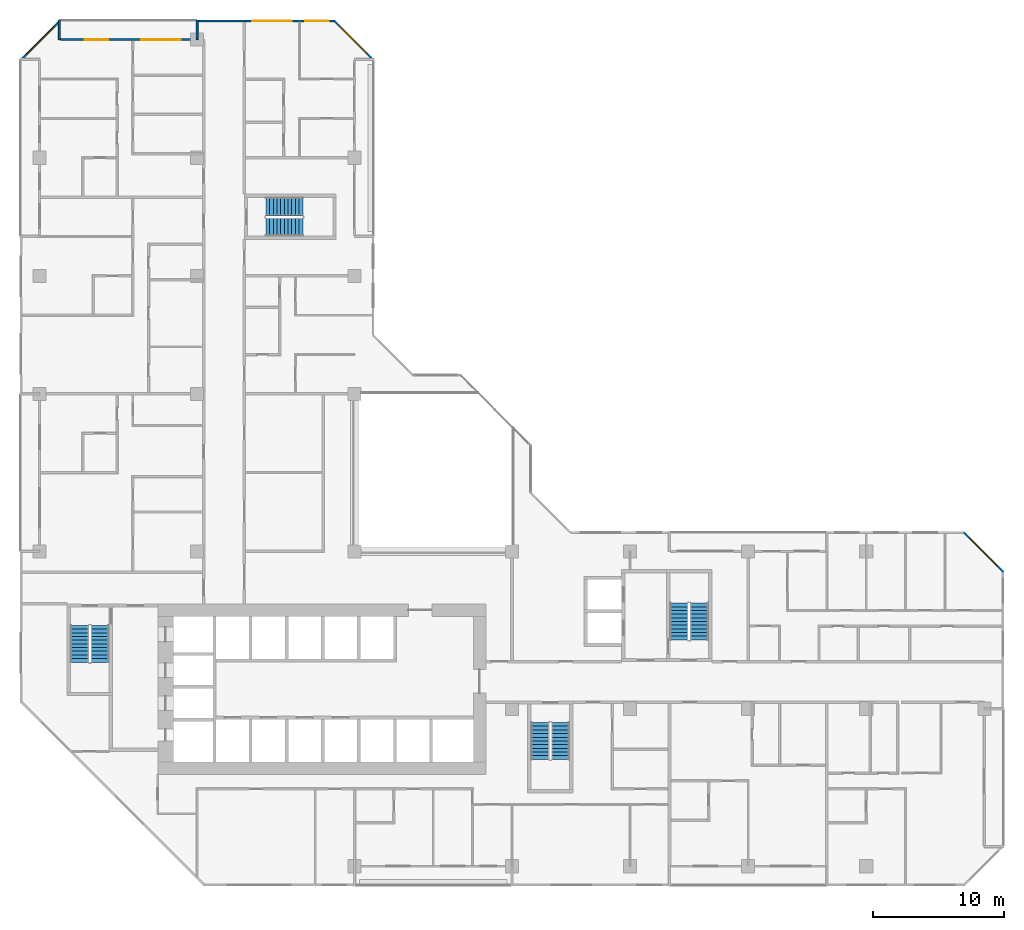
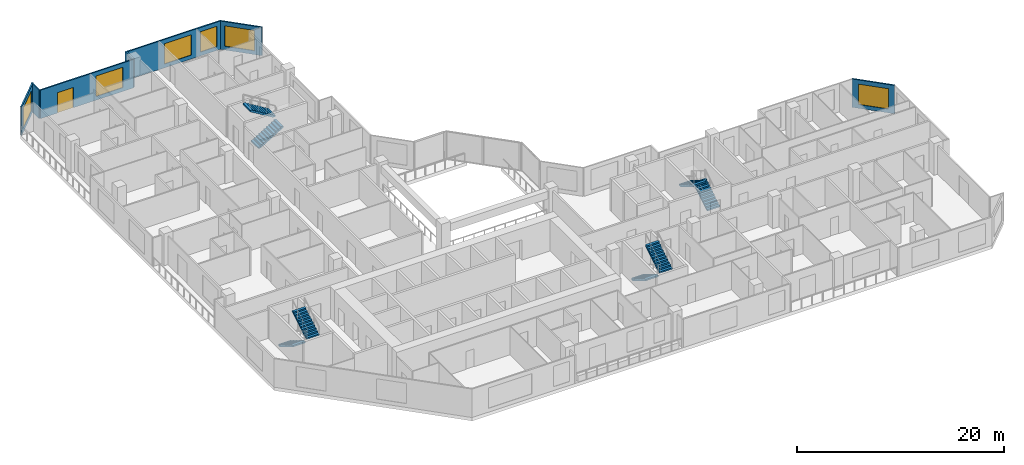
# One storey, part 13 of 15: 8 stair flights, 7 walls, 6 windows, 1 door, 7 openings, 4 elements without a shape of their own.
"""IFC4 building model written with IfcOpenShell, lengths in metres."""

from ifc_helpers import new_model, si_unit, direction, frame, frame_2d, origin, place, context, subcontext, project, spatial, polyline, rectangle, outline, extrude, material, layer, layer_set, type_object, element, fill, aggregate, save


model = new_model("IFC4")

# Units and contexts
model_context = context("Model", 3, precision=1e-05, world=origin(), true_north=direction((0.0, 1.0)))
body_context = subcontext(model_context, "Body", "Model", "MODEL_VIEW")
ifc_project = project(units=[si_unit("LENGTHUNIT", "METRE"), si_unit("AREAUNIT", "SQUARE_METRE"), si_unit("VOLUMEUNIT", "CUBIC_METRE"), si_unit("PLANEANGLEUNIT", "RADIAN"), si_unit("MASSUNIT", "GRAM", prefix="KILO")], contexts=[model_context])

# Site, building, storey
site_placement = place(None, origin())
site = spatial("IfcSite", under=ifc_project, at=site_placement, CompositionType="ELEMENT")
building_placement = place(site_placement, origin())
building = spatial("IfcBuilding", under=site, at=building_placement, Name="Chenar Terraces", CompositionType="ELEMENT")
storey_placement = place(building_placement, frame((0.0, 0.0, 95.64990234375)))
storey = spatial("IfcBuildingStorey", under=building, at=storey_placement, Name="L21", CompositionType="ELEMENT", Elevation=95.64990234375)

# Wall, openings, windows
ifc_material_1 = material(Name="Aluminium framed glazing", Category="aluminium")
ifc_layer_1 = layer(ifc_material_1, 0.14990234375)
ifc_layer_set_1 = layer_set([ifc_layer_1], Name="Aluminium framed glazing")
wall_type_1 = type_object("IfcWallType", Name="Glazed flush facade wall 150", PredefinedType="SOLIDWALL", material=ifc_layer_set_1)
wall_1_placement = place(storey_placement, frame((22.5, 64.425048828125, 0.0), z_axis=(0.0, 0.0, 1.0), x_axis=(-1.0, 0.0, 0.0)))
wall_1 = element("IfcWall", 1, at=wall_1_placement, inside=storey, type_object=wall_type_1, Name="Glazed flush facade wall", PredefinedType="SOLIDWALL", context=body_context, shape_type="SweptSolid", body=[
    extrude(rectangle(XDim=10.425048828125, YDim=0.14990234375, at=frame_2d((5.21240234375, 0.0))), origin(), (0.0, 0.0, 1.0), 3.35009765625),
])
opening_1_placement = place(wall_1_placement, frame((0.449951171875, 0.0, 0.449951171875)))
opening_1 = element("IfcOpeningElement", 2, at=opening_1_placement, cuts=wall_1, Name="Opening W180x240", PredefinedType="OPENING", context=body_context, shape_type="SweptSolid", body=[
    extrude(rectangle(XDim=1.800048828125, YDim=2.39990234375, at=frame_2d((0.89990234375, 1.199951171875))), frame((0.0, 0.0849609375, 0.0), z_axis=(0.0, -1.0, 0.0), x_axis=(1.0, 0.0, 0.0)), (0.0, 0.0, 1.0), 0.169921875),
])
opening_2_placement = place(wall_1_placement, frame((3.300048828125, 0.0, 0.449951171875)))
opening_2 = element("IfcOpeningElement", 3, at=opening_2_placement, cuts=wall_1, Name="Opening W300x240", PredefinedType="OPENING", context=body_context, shape_type="SweptSolid", body=[
    extrude(rectangle(XDim=3.0, YDim=2.39990234375, at=frame_2d((1.5, 1.199951171875))), frame((0.0, 0.0849609375, 0.0), z_axis=(0.0, -1.0, 0.0), x_axis=(1.0, 0.0, 0.0)), (0.0, 0.0, 1.0), 0.169921875),
])
ifc_material_2 = material(Name="Low emissivity double glazing, aluminium frame", Category="aluminium")
window_type_1 = type_object("IfcWindowType", Name="Fixed light 1800 x 2400", PartitioningType="SINGLE_PANEL", PredefinedType="WINDOW", material=ifc_material_2)
window_1_placement = place(opening_1_placement, origin())
window_1 = element("IfcWindow", 4, at=window_1_placement, inside=storey, type_object=window_type_1, Name="Window", OverallHeight=2.39990234375, OverallWidth=1.800048828125, PartitioningType="SINGLE_PANEL", PredefinedType="WINDOW", context=body_context, shape_type="SweptSolid", body=[
    extrude(rectangle(XDim=1.800048828125, YDim=2.39990234375, at=frame_2d((0.89990234375, 1.199951171875))), frame((0.0, 0.030029296875, 0.0), z_axis=(0.0, -1.0, 0.0), x_axis=(1.0, 0.0, 0.0)), (0.0, 0.0, 1.0), 0.06005859375),
])
fill(opening_1, window_1)
ifc_material_3 = material(Name="Low emissivity double glazing, aluminium frame", Category="aluminium")
window_type_2 = type_object("IfcWindowType", Name="Fixed light 3000 x 2400", PartitioningType="SINGLE_PANEL", PredefinedType="WINDOW", material=ifc_material_3)
window_2_placement = place(opening_2_placement, origin())
window_2 = element("IfcWindow", 5, at=window_2_placement, inside=storey, type_object=window_type_2, Name="Window", OverallHeight=2.39990234375, OverallWidth=3.0, PartitioningType="SINGLE_PANEL", PredefinedType="WINDOW", context=body_context, shape_type="SweptSolid", body=[
    extrude(rectangle(XDim=3.0, YDim=2.39990234375, at=frame_2d((1.5, 1.199951171875))), frame((0.0, 0.030029296875, 0.0), z_axis=(0.0, -1.0, 0.0), x_axis=(1.0, 0.0, 0.0)), (0.0, 0.0, 1.0), 0.06005859375),
])
fill(opening_2, window_2)

# Wall, openings, window, door
ifc_material_4 = material(Name="Aluminium framed glazing", Category="aluminium")
ifc_layer_2 = layer(ifc_material_4, 0.14990234375)
ifc_layer_set_2 = layer_set([ifc_layer_2], Name="Aluminium framed glazing")
wall_type_2 = type_object("IfcWallType", Name="Glazed loggia back wall 150", PredefinedType="SOLIDWALL", material=ifc_layer_set_2)
wall_2_placement = place(storey_placement, frame((11.925048828125, 63.0, 0.0), z_axis=(0.0, 0.0, 1.0), x_axis=(-1.0, 0.0, 0.0)))
wall_2 = element("IfcWall", 6, at=wall_2_placement, inside=storey, type_object=wall_type_2, Name="Glazed loggia back wall", PredefinedType="SOLIDWALL", context=body_context, shape_type="SweptSolid", body=[
    extrude(rectangle(XDim=10.35009765625, YDim=0.14990234375, at=frame_2d((5.175048828125, 0.0))), origin(), (0.0, 0.0, 1.0), 3.35009765625),
])
opening_3_placement = place(wall_2_placement, frame((1.175048828125, 0.0, 0.449951171875)))
opening_3 = element("IfcOpeningElement", 7, at=opening_3_placement, cuts=wall_2, Name="Opening W300x240", PredefinedType="OPENING", context=body_context, shape_type="SweptSolid", body=[
    extrude(rectangle(XDim=3.0, YDim=2.39990234375, at=frame_2d((1.5, 1.199951171875))), frame((0.0, 0.0849609375, 0.0), z_axis=(0.0, -1.0, 0.0), x_axis=(1.0, 0.0, 0.0)), (0.0, 0.0, 1.0), 0.169921875),
])
opening_4_placement = place(wall_2_placement, frame((6.6875, 0.0, 0.0)))
opening_4 = element("IfcOpeningElement", 8, at=opening_4_placement, cuts=wall_2, Name="Opening DL21-G3", PredefinedType="OPENING", context=body_context, shape_type="SweptSolid", body=[
    extrude(rectangle(XDim=1.800048828125, YDim=2.39990234375, at=frame_2d((0.89990234375, 1.199951171875))), frame((0.0, 0.0849609375, 0.0), z_axis=(0.0, -1.0, 0.0), x_axis=(1.0, 0.0, 0.0)), (0.0, 0.0, 1.0), 0.169921875),
])
window_3_placement = place(opening_3_placement, origin())
window_3 = element("IfcWindow", 9, at=window_3_placement, inside=storey, type_object=window_type_2, Name="Window", OverallHeight=2.39990234375, OverallWidth=3.0, PartitioningType="SINGLE_PANEL", PredefinedType="WINDOW", context=body_context, shape_type="SweptSolid", body=[
    extrude(rectangle(XDim=3.0, YDim=2.39990234375, at=frame_2d((1.5, 1.199951171875))), frame((0.0, 0.030029296875, 0.0), z_axis=(0.0, -1.0, 0.0), x_axis=(1.0, 0.0, 0.0)), (0.0, 0.0, 1.0), 0.06005859375),
])
fill(opening_3, window_3)
ifc_material_5 = material(Name="Low emissivity double glazing, aluminium frame", Category="aluminium")
door_type = type_object("IfcDoorType", Name="Loggia glazed double door 1800 x 2400", OperationType="DOUBLE_DOOR_SINGLE_SWING", PredefinedType="DOOR", material=ifc_material_5)
door_placement = place(opening_4_placement, frame((1.800048828125, 0.0, 0.0), z_axis=(0.0, 0.0, 1.0), x_axis=(-1.0, 0.0, 0.0)))
door = element("IfcDoor", 10, at=door_placement, inside=storey, type_object=door_type, Name="Loggia glazed door", OperationType="DOUBLE_DOOR_SINGLE_SWING", OverallHeight=2.39990234375, OverallWidth=1.800048828125, PredefinedType="DOOR", context=body_context, shape_type="SweptSolid", body=[
    extrude(rectangle(XDim=1.800048828125, YDim=2.39990234375, at=frame_2d((0.89990234375, 1.199951171875))), frame((0.0, 0.02490234375, 0.0), z_axis=(0.0, -1.0, 0.0), x_axis=(1.0, 0.0, 0.0)), (0.0, 0.0, 1.0), 0.050048828125),
])
fill(opening_4, door)

# Walls
ifc_material_6 = material(Name="Terracotta cladding on insulated backing", Category="masonry")
ifc_layer_3 = layer(ifc_material_6, 0.14990234375)
ifc_layer_set_3 = layer_set([ifc_layer_3], Name="Terracotta cladding on insulated backing")
wall_type_3 = type_object("IfcWallType", Name="Loggia return wall 150", PredefinedType="SOLIDWALL", material=ifc_layer_set_3)
for number, where, z_axis, x_axis, name in (
    (11, (12.0, 64.5, 0.0), (0.0, 0.0, 1.0), (0.0, -1.0, 0.0), "Loggia return wall"),
    (12, (1.5, 64.5, 0.0), (0.0, 0.0, 1.0), (0.0, -1.0, 0.0), "Loggia return wall"),
):
    element("IfcWall", number, at=place(storey_placement, frame(where, z_axis=z_axis, x_axis=x_axis)), inside=storey, type_object=wall_type_3, Name=name, PredefinedType="SOLIDWALL", context=body_context, shape_type="SweptSolid", body=[
        extrude(rectangle(XDim=1.5, YDim=0.14990234375, at=frame_2d((0.75, 0.0))), origin(), (0.0, 0.0, 1.0), 3.35009765625),
    ])

# Wall, opening, window
ifc_material_7 = material(Name="Terracotta cladding on insulated backing", Category="masonry")
ifc_layer_4 = layer(ifc_material_7, 0.14990234375)
ifc_layer_set_4 = layer_set([ifc_layer_4], Name="Terracotta cladding on insulated backing")
wall_type_4 = type_object("IfcWallType", Name="Terracotta rainscreen wall 150", PredefinedType="SOLIDWALL", material=ifc_layer_set_4)
wall_3_placement = place(storey_placement, frame((25.447021484375, 61.447021484375, 0.0), z_axis=(0.0, 0.0, 1.0), x_axis=(-0.707106781187, 0.707106781187, 0.0)))
wall_3 = element("IfcWall", 13, at=wall_3_placement, inside=storey, type_object=wall_type_4, Name="Terracotta rainscreen wall", PredefinedType="SOLIDWALL", context=body_context, shape_type="SweptSolid", body=[
    extrude(rectangle(XDim=4.24267578125, YDim=0.14990234375, at=frame_2d((2.121337890625, 0.0))), origin(), (0.0, 0.0, 1.0), 3.35009765625),
])
opening_5_placement = place(wall_3_placement, frame((0.744384765625, 0.0, 0.449951171875)))
opening_5 = element("IfcOpeningElement", 14, at=opening_5_placement, cuts=wall_3, Name="Opening W300x240", PredefinedType="OPENING", context=body_context, shape_type="SweptSolid", body=[
    extrude(rectangle(XDim=3.0, YDim=2.39990234375, at=frame_2d((1.5, 1.199951171875))), frame((0.0, 0.0849609375, 0.0), z_axis=(0.0, -1.0, 0.0), x_axis=(1.0, 0.0, 0.0)), (0.0, 0.0, 1.0), 0.169921875),
])
window_4_placement = place(opening_5_placement, origin())
window_4 = element("IfcWindow", 15, at=window_4_placement, inside=storey, type_object=window_type_2, Name="Window", OverallHeight=2.39990234375, OverallWidth=3.0, PartitioningType="SINGLE_PANEL", PredefinedType="WINDOW", context=body_context, shape_type="SweptSolid", body=[
    extrude(rectangle(XDim=3.0, YDim=2.39990234375, at=frame_2d((1.5, 1.199951171875))), frame((0.0, 0.030029296875, 0.0), z_axis=(0.0, -1.0, 0.0), x_axis=(1.0, 0.0, 0.0)), (0.0, 0.0, 1.0), 0.06005859375),
])
fill(opening_5, window_4)

wall_4_placement = place(storey_placement, frame((1.552978515625, 64.447021484375, 0.0), z_axis=(0.0, 0.0, 1.0), x_axis=(-0.707106781187, -0.707106781187, 0.0)))
wall_4 = element("IfcWall", 16, at=wall_4_placement, inside=storey, type_object=wall_type_4, Name="Terracotta rainscreen wall", PredefinedType="SOLIDWALL", context=body_context, shape_type="SweptSolid", body=[
    extrude(rectangle(XDim=4.24267578125, YDim=0.14990234375, at=frame_2d((2.121337890625, 0.0))), origin(), (0.0, 0.0, 1.0), 3.35009765625),
])
opening_6_placement = place(wall_4_placement, frame((0.621337890625, 0.0, 0.449951171875)))
opening_6 = element("IfcOpeningElement", 17, at=opening_6_placement, cuts=wall_4, Name="Opening W300x240", PredefinedType="OPENING", context=body_context, shape_type="SweptSolid", body=[
    extrude(rectangle(XDim=3.0, YDim=2.39990234375, at=frame_2d((1.5, 1.199951171875))), frame((0.0, 0.0849609375, 0.0), z_axis=(0.0, -1.0, 0.0), x_axis=(1.0, 0.0, 0.0)), (0.0, 0.0, 1.0), 0.169921875),
])
window_5_placement = place(opening_6_placement, origin())
window_5 = element("IfcWindow", 18, at=window_5_placement, inside=storey, type_object=window_type_2, Name="Window", OverallHeight=2.39990234375, OverallWidth=3.0, PartitioningType="SINGLE_PANEL", PredefinedType="WINDOW", context=body_context, shape_type="SweptSolid", body=[
    extrude(rectangle(XDim=3.0, YDim=2.39990234375, at=frame_2d((1.5, 1.199951171875))), frame((0.0, 0.030029296875, 0.0), z_axis=(0.0, -1.0, 0.0), x_axis=(1.0, 0.0, 0.0)), (0.0, 0.0, 1.0), 0.06005859375),
])
fill(opening_6, window_5)

wall_5_placement = place(storey_placement, frame((73.447021484375, 22.447021484375, 0.0), z_axis=(0.0, 0.0, 1.0), x_axis=(-0.707106781187, 0.707106781187, 0.0)))
wall_5 = element("IfcWall", 19, at=wall_5_placement, inside=storey, type_object=wall_type_4, Name="Terracotta rainscreen wall", PredefinedType="SOLIDWALL", context=body_context, shape_type="SweptSolid", body=[
    extrude(rectangle(XDim=4.24267578125, YDim=0.14990234375, at=frame_2d((2.121337890625, 0.0))), origin(), (0.0, 0.0, 1.0), 3.35009765625),
])
opening_7_placement = place(wall_5_placement, frame((0.621337890625, 0.0, 0.449951171875)))
opening_7 = element("IfcOpeningElement", 20, at=opening_7_placement, cuts=wall_5, Name="Opening W300x240", PredefinedType="OPENING", context=body_context, shape_type="SweptSolid", body=[
    extrude(rectangle(XDim=3.0, YDim=2.39990234375, at=frame_2d((1.5, 1.199951171875))), frame((0.0, 0.0849609375, 0.0), z_axis=(0.0, -1.0, 0.0), x_axis=(1.0, 0.0, 0.0)), (0.0, 0.0, 1.0), 0.169921875),
])
window_6_placement = place(opening_7_placement, origin())
window_6 = element("IfcWindow", 21, at=window_6_placement, inside=storey, type_object=window_type_2, Name="Window", OverallHeight=2.39990234375, OverallWidth=3.0, PartitioningType="SINGLE_PANEL", PredefinedType="WINDOW", context=body_context, shape_type="SweptSolid", body=[
    extrude(rectangle(XDim=3.0, YDim=2.39990234375, at=frame_2d((1.5, 1.199951171875))), frame((0.0, 0.030029296875, 0.0), z_axis=(0.0, -1.0, 0.0), x_axis=(1.0, 0.0, 0.0)), (0.0, 0.0, 1.0), 0.06005859375),
])
fill(opening_7, window_6)

# Stair, stair flights
ifc_material_8 = material(Name="Reinforced concrete C40/50", Category="concrete")
stair_type = type_object("IfcStairType", Name="Core stair 1400 half-turn", PredefinedType="HALF_TURN_STAIR", material=ifc_material_8)
placement = place(storey_placement, origin())
stair_1 = element("IfcStair", 22, at=placement, inside=storey, type_object=stair_type, Name="L21 Stair 1", PredefinedType="HALF_TURN_STAIR")
ifc_material_9 = material(Name="Reinforced concrete C40/50", Category="concrete")
stair_flight_type = type_object("IfcStairFlightType", Name="Core stair flight 1400", PredefinedType="STRAIGHT", material=ifc_material_9)
stair_flight_1_placement = place(storey_placement, frame((3.050048828125, 18.35009765625, 0.0), z_axis=(0.0, 0.0, 1.0), x_axis=(0.0, -1.0, 0.0)))
stair_flight_1 = element("IfcStairFlight", 23, at=stair_flight_1_placement, type_object=stair_flight_type, Name="ST1 flight 1", NumberOfRisers=11, NumberOfTreads=10, PredefinedType="STRAIGHT", RiserHeight=0.170454545, TreadLength=0.28, context=body_context, shape_type="SweptSolid", body=[
    extrude(outline(polyline([(-0.0029296875, 0.0), (-0.0029296875, 0.17041015625), (0.0, 0.17041015625), (0.280029296875, 0.17041015625), (0.280029296875, 0.3408203125), (0.56005859375, 0.3408203125), (0.56005859375, 0.511474609375), (0.840087890625, 0.511474609375), (0.840087890625, 0.681884765625), (1.1201171875, 0.681884765625), (1.1201171875, 0.852294921875), (1.39990234375, 0.852294921875), (1.39990234375, 1.022705078125), (1.679931640625, 1.022705078125), (1.679931640625, 1.193115234375), (1.9599609375, 1.193115234375), (1.9599609375, 1.363525390625), (2.239990234375, 1.363525390625), (2.239990234375, 1.5341796875), (2.52001953125, 1.5341796875), (2.52001953125, 1.70458984375), (2.800048828125, 1.70458984375), (2.802978515625, 1.70458984375), (2.802978515625, 1.529052734375), (2.800048828125, 1.529052734375), (0.288330078125, 0.0), (-0.0029296875, 0.0)])), frame((0.0, 0.699951171875, 0.0), z_axis=(0.0, -1.0, 0.0), x_axis=(1.0, 0.0, 0.0)), (0.0, 0.0, 1.0), 1.39990234375),
])
stair_flight_2_placement = place(storey_placement, frame((4.60009765625, 15.550048828125, 1.875), z_axis=(0.0, 0.0, 1.0), x_axis=(0.0, 1.0, 0.0)))
stair_flight_2 = element("IfcStairFlight", 24, at=stair_flight_2_placement, type_object=stair_flight_type, Name="ST1 flight 2", NumberOfRisers=11, NumberOfTreads=10, PredefinedType="STRAIGHT", RiserHeight=0.170454545, TreadLength=0.28, context=body_context, shape_type="SweptSolid", body=[
    extrude(outline(polyline([(-0.0029296875, 0.0), (-0.0029296875, 0.17041015625), (0.0, 0.17041015625), (0.280029296875, 0.17041015625), (0.280029296875, 0.3408203125), (0.56005859375, 0.3408203125), (0.56005859375, 0.511474609375), (0.840087890625, 0.511474609375), (0.840087890625, 0.681884765625), (1.1201171875, 0.681884765625), (1.1201171875, 0.852294921875), (1.39990234375, 0.852294921875), (1.39990234375, 1.022705078125), (1.679931640625, 1.022705078125), (1.679931640625, 1.193115234375), (1.9599609375, 1.193115234375), (1.9599609375, 1.363525390625), (2.239990234375, 1.363525390625), (2.239990234375, 1.5341796875), (2.52001953125, 1.5341796875), (2.52001953125, 1.70458984375), (2.800048828125, 1.70458984375), (2.802978515625, 1.70458984375), (2.802978515625, 1.529052734375), (2.800048828125, 1.529052734375), (0.288330078125, 0.0), (-0.0029296875, 0.0)])), frame((0.0, 0.699951171875, 0.0), z_axis=(0.0, -1.0, 0.0), x_axis=(1.0, 0.0, 0.0)), (0.0, 0.0, 1.0), 1.39990234375),
])
aggregate(stair_1, [stair_flight_1, stair_flight_2])

stair_2 = element("IfcStair", 25, at=placement, inside=storey, type_object=stair_type, Name="L21 Stair 2", PredefinedType="HALF_TURN_STAIR")
stair_flight_3_placement = place(storey_placement, frame((38.14990234375, 10.949951171875, 0.0), z_axis=(0.0, 0.0, 1.0), x_axis=(0.0, -1.0, 0.0)))
stair_flight_3 = element("IfcStairFlight", 26, at=stair_flight_3_placement, type_object=stair_flight_type, Name="ST2 flight 1", NumberOfRisers=11, NumberOfTreads=10, PredefinedType="STRAIGHT", RiserHeight=0.170454545, TreadLength=0.28, context=body_context, shape_type="SweptSolid", body=[
    extrude(outline(polyline([(-0.0029296875, 0.0), (-0.0029296875, 0.17041015625), (0.0, 0.17041015625), (0.280029296875, 0.17041015625), (0.280029296875, 0.3408203125), (0.56005859375, 0.3408203125), (0.56005859375, 0.511474609375), (0.840087890625, 0.511474609375), (0.840087890625, 0.681884765625), (1.1201171875, 0.681884765625), (1.1201171875, 0.852294921875), (1.39990234375, 0.852294921875), (1.39990234375, 1.022705078125), (1.679931640625, 1.022705078125), (1.679931640625, 1.193115234375), (1.9599609375, 1.193115234375), (1.9599609375, 1.363525390625), (2.239990234375, 1.363525390625), (2.239990234375, 1.5341796875), (2.52001953125, 1.5341796875), (2.52001953125, 1.70458984375), (2.800048828125, 1.70458984375), (2.802978515625, 1.70458984375), (2.802978515625, 1.529052734375), (2.800048828125, 1.529052734375), (0.288330078125, 0.0), (-0.0029296875, 0.0)])), frame((0.0, 0.699951171875, 0.0), z_axis=(0.0, -1.0, 0.0), x_axis=(1.0, 0.0, 0.0)), (0.0, 0.0, 1.0), 1.39990234375),
])
stair_flight_4_placement = place(storey_placement, frame((39.699951171875, 8.14990234375, 1.875), z_axis=(0.0, 0.0, 1.0), x_axis=(0.0, 1.0, 0.0)))
stair_flight_4 = element("IfcStairFlight", 27, at=stair_flight_4_placement, type_object=stair_flight_type, Name="ST2 flight 2", NumberOfRisers=11, NumberOfTreads=10, PredefinedType="STRAIGHT", RiserHeight=0.170454545, TreadLength=0.28, context=body_context, shape_type="SweptSolid", body=[
    extrude(outline(polyline([(-0.0029296875, 0.0), (-0.0029296875, 0.17041015625), (0.0, 0.17041015625), (0.280029296875, 0.17041015625), (0.280029296875, 0.3408203125), (0.56005859375, 0.3408203125), (0.56005859375, 0.511474609375), (0.840087890625, 0.511474609375), (0.840087890625, 0.681884765625), (1.1201171875, 0.681884765625), (1.1201171875, 0.852294921875), (1.39990234375, 0.852294921875), (1.39990234375, 1.022705078125), (1.679931640625, 1.022705078125), (1.679931640625, 1.193115234375), (1.9599609375, 1.193115234375), (1.9599609375, 1.363525390625), (2.239990234375, 1.363525390625), (2.239990234375, 1.5341796875), (2.52001953125, 1.5341796875), (2.52001953125, 1.70458984375), (2.800048828125, 1.70458984375), (2.802978515625, 1.70458984375), (2.802978515625, 1.529052734375), (2.800048828125, 1.529052734375), (0.288330078125, 0.0), (-0.0029296875, 0.0)])), frame((0.0, 0.699951171875, 0.0), z_axis=(0.0, -1.0, 0.0), x_axis=(1.0, 0.0, 0.0)), (0.0, 0.0, 1.0), 1.39990234375),
])
aggregate(stair_2, [stair_flight_3, stair_flight_4])

stair_3 = element("IfcStair", 28, at=placement, inside=storey, type_object=stair_type, Name="L21 Stair 3", PredefinedType="HALF_TURN_STAIR")
stair_flight_5_placement = place(storey_placement, frame((50.27490234375, 17.25, 0.0), z_axis=(0.0, 0.0, 1.0), x_axis=(0.0, 1.0, 0.0)))
stair_flight_5 = element("IfcStairFlight", 29, at=stair_flight_5_placement, type_object=stair_flight_type, Name="ST3 flight 1", NumberOfRisers=11, NumberOfTreads=10, PredefinedType="STRAIGHT", RiserHeight=0.170454545, TreadLength=0.28, context=body_context, shape_type="SweptSolid", body=[
    extrude(outline(polyline([(-0.0029296875, 0.0), (-0.0029296875, 0.17041015625), (0.0, 0.17041015625), (0.280029296875, 0.17041015625), (0.280029296875, 0.3408203125), (0.56005859375, 0.3408203125), (0.56005859375, 0.511474609375), (0.840087890625, 0.511474609375), (0.840087890625, 0.681884765625), (1.1201171875, 0.681884765625), (1.1201171875, 0.852294921875), (1.39990234375, 0.852294921875), (1.39990234375, 1.022705078125), (1.679931640625, 1.022705078125), (1.679931640625, 1.193115234375), (1.9599609375, 1.193115234375), (1.9599609375, 1.363525390625), (2.239990234375, 1.363525390625), (2.239990234375, 1.5341796875), (2.52001953125, 1.5341796875), (2.52001953125, 1.70458984375), (2.800048828125, 1.70458984375), (2.802978515625, 1.70458984375), (2.802978515625, 1.529052734375), (2.800048828125, 1.529052734375), (0.288330078125, 0.0), (-0.0029296875, 0.0)])), frame((0.0, 0.699951171875, 0.0), z_axis=(0.0, -1.0, 0.0), x_axis=(1.0, 0.0, 0.0)), (0.0, 0.0, 1.0), 1.39990234375),
])
stair_flight_6_placement = place(storey_placement, frame((48.72509765625, 20.050048828125, 1.875), z_axis=(0.0, 0.0, 1.0), x_axis=(0.0, -1.0, 0.0)))
stair_flight_6 = element("IfcStairFlight", 30, at=stair_flight_6_placement, type_object=stair_flight_type, Name="ST3 flight 2", NumberOfRisers=11, NumberOfTreads=10, PredefinedType="STRAIGHT", RiserHeight=0.170454545, TreadLength=0.28, context=body_context, shape_type="SweptSolid", body=[
    extrude(outline(polyline([(-0.0029296875, 0.0), (-0.0029296875, 0.17041015625), (0.0, 0.17041015625), (0.280029296875, 0.17041015625), (0.280029296875, 0.3408203125), (0.56005859375, 0.3408203125), (0.56005859375, 0.511474609375), (0.840087890625, 0.511474609375), (0.840087890625, 0.681884765625), (1.1201171875, 0.681884765625), (1.1201171875, 0.852294921875), (1.39990234375, 0.852294921875), (1.39990234375, 1.022705078125), (1.679931640625, 1.022705078125), (1.679931640625, 1.193115234375), (1.9599609375, 1.193115234375), (1.9599609375, 1.363525390625), (2.239990234375, 1.363525390625), (2.239990234375, 1.5341796875), (2.52001953125, 1.5341796875), (2.52001953125, 1.70458984375), (2.800048828125, 1.70458984375), (2.802978515625, 1.70458984375), (2.802978515625, 1.529052734375), (2.800048828125, 1.529052734375), (0.288330078125, 0.0), (-0.0029296875, 0.0)])), frame((0.0, 0.699951171875, 0.0), z_axis=(0.0, -1.0, 0.0), x_axis=(1.0, 0.0, 0.0)), (0.0, 0.0, 1.0), 1.39990234375),
])
aggregate(stair_3, [stair_flight_5, stair_flight_6])

stair_4 = element("IfcStair", 31, at=placement, inside=storey, type_object=stair_type, Name="L21 Stair 4", PredefinedType="HALF_TURN_STAIR")
stair_flight_7_placement = place(storey_placement, frame((17.25, 48.72509765625, 0.0), z_axis=(0.0, 0.0, 1.0), x_axis=(1.0, 0.0, 0.0)))
stair_flight_7 = element("IfcStairFlight", 32, at=stair_flight_7_placement, type_object=stair_flight_type, Name="ST4 flight 1", NumberOfRisers=11, NumberOfTreads=10, PredefinedType="STRAIGHT", RiserHeight=0.170454545, TreadLength=0.28, context=body_context, shape_type="SweptSolid", body=[
    extrude(outline(polyline([(-0.0029296875, 0.0), (-0.0029296875, 0.17041015625), (0.0, 0.17041015625), (0.280029296875, 0.17041015625), (0.280029296875, 0.3408203125), (0.56005859375, 0.3408203125), (0.56005859375, 0.511474609375), (0.840087890625, 0.511474609375), (0.840087890625, 0.681884765625), (1.1201171875, 0.681884765625), (1.1201171875, 0.852294921875), (1.39990234375, 0.852294921875), (1.39990234375, 1.022705078125), (1.679931640625, 1.022705078125), (1.679931640625, 1.193115234375), (1.9599609375, 1.193115234375), (1.9599609375, 1.363525390625), (2.239990234375, 1.363525390625), (2.239990234375, 1.5341796875), (2.52001953125, 1.5341796875), (2.52001953125, 1.70458984375), (2.800048828125, 1.70458984375), (2.802978515625, 1.70458984375), (2.802978515625, 1.529052734375), (2.800048828125, 1.529052734375), (0.288330078125, 0.0), (-0.0029296875, 0.0)])), frame((0.0, 0.699951171875, 0.0), z_axis=(0.0, -1.0, 0.0), x_axis=(1.0, 0.0, 0.0)), (0.0, 0.0, 1.0), 1.39990234375),
])
stair_flight_8_placement = place(storey_placement, frame((20.050048828125, 50.27490234375, 1.875), z_axis=(0.0, 0.0, 1.0), x_axis=(-1.0, 0.0, 0.0)))
stair_flight_8 = element("IfcStairFlight", 33, at=stair_flight_8_placement, type_object=stair_flight_type, Name="ST4 flight 2", NumberOfRisers=11, NumberOfTreads=10, PredefinedType="STRAIGHT", RiserHeight=0.170454545, TreadLength=0.28, context=body_context, shape_type="SweptSolid", body=[
    extrude(outline(polyline([(-0.0029296875, 0.0), (-0.0029296875, 0.17041015625), (0.0, 0.17041015625), (0.280029296875, 0.17041015625), (0.280029296875, 0.3408203125), (0.56005859375, 0.3408203125), (0.56005859375, 0.511474609375), (0.840087890625, 0.511474609375), (0.840087890625, 0.681884765625), (1.1201171875, 0.681884765625), (1.1201171875, 0.852294921875), (1.39990234375, 0.852294921875), (1.39990234375, 1.022705078125), (1.679931640625, 1.022705078125), (1.679931640625, 1.193115234375), (1.9599609375, 1.193115234375), (1.9599609375, 1.363525390625), (2.239990234375, 1.363525390625), (2.239990234375, 1.5341796875), (2.52001953125, 1.5341796875), (2.52001953125, 1.70458984375), (2.800048828125, 1.70458984375), (2.802978515625, 1.70458984375), (2.802978515625, 1.529052734375), (2.800048828125, 1.529052734375), (0.288330078125, 0.0), (-0.0029296875, 0.0)])), frame((0.0, 0.699951171875, 0.0), z_axis=(0.0, -1.0, 0.0), x_axis=(1.0, 0.0, 0.0)), (0.0, 0.0, 1.0), 1.39990234375),
])
aggregate(stair_4, [stair_flight_7, stair_flight_8])

save(model, "model.ifc")
